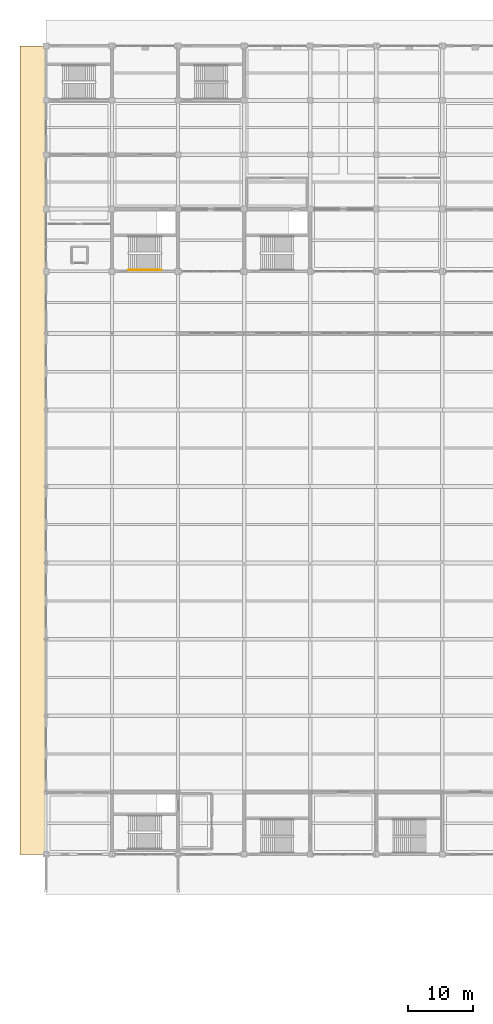
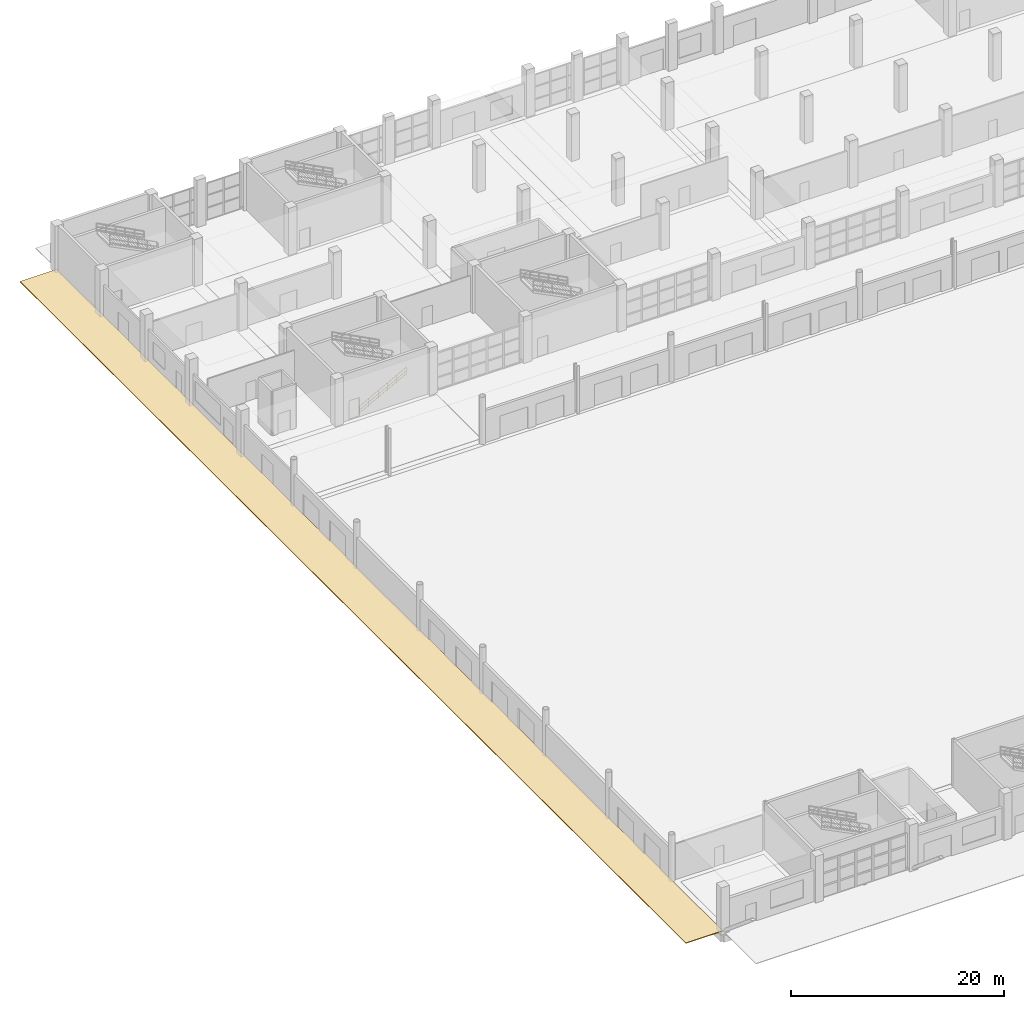
# One storey, part 111 of 124: 1 covering, 1 railing.
"""IFC4 building model written with IfcOpenShell, lengths in metres."""

from ifc_helpers import new_model, si_unit, direction, frame, origin, origin_2d, place, context, subcontext, project, spatial, polyline, circle, outline, extrude, material, layer, layer_set, type_object, element, save


model = new_model("IFC4")

# Units and contexts
model_context = context("Model", 3, precision=1e-05, world=origin(), true_north=direction((0.0, 1.0)))
body_context = subcontext(model_context, "Body", "Model", "MODEL_VIEW")
ifc_project = project(units=[si_unit("LENGTHUNIT", "METRE"), si_unit("AREAUNIT", "SQUARE_METRE"), si_unit("VOLUMEUNIT", "CUBIC_METRE"), si_unit("PLANEANGLEUNIT", "RADIAN"), si_unit("MASSUNIT", "GRAM", prefix="KILO")], contexts=[model_context])

# Site, building, storey
site_placement = place(None, origin())
site = spatial("IfcSite", under=ifc_project, at=site_placement, CompositionType="ELEMENT")
building_placement = place(site_placement, origin())
building = spatial("IfcBuilding", under=site, at=building_placement, Name="Brelvane Convention Centre", CompositionType="ELEMENT")
storey_placement = place(building_placement, origin())
storey = spatial("IfcBuildingStorey", under=building, at=storey_placement, Name="L00", CompositionType="ELEMENT", Elevation=0.0)

# Covering
ifc_material_1 = material(Name="Concrete M40", Category="concrete")
ifc_layer = layer(ifc_material_1, 0.080078125)
ifc_layer_set = layer_set([ifc_layer], Name="Concrete M40")
covering_type = type_object("IfcCoveringType", Name="Outdoor Plaza Paving PV-80", PredefinedType="USERDEFINED", material=ifc_layer_set)
covering_placement = place(storey_placement, origin())
element("IfcCovering", 1, at=covering_placement, inside=storey, type_object=covering_type, Name="Outdoor Arrival Plaza Paving WEST-PROM", ObjectType="PAVING", PredefinedType="USERDEFINED", context=body_context, shape_type="SweptSolid", body=[
    extrude(outline(polyline([(-4.0, 19.199951171875), (0.0, 19.199951171875), (0.0, 144.0), (-4.0, 144.0), (-4.0, 19.199951171875)])), origin(), (0.0, 0.0, 1.0), 0.080078125),
])

# Railing
ifc_material_2 = material(Name="Steel E350 (350 MPa)", Category="steel")
railing_type = type_object("IfcRailingType", Name="Stair Railing HR-ST-1", PredefinedType="HANDRAIL", material=ifc_material_2)
railing_placement = place(storey_placement, frame((12.75, 109.429931640625, -0.02001953125)))
element("IfcRailing", 2, at=railing_placement, inside=storey, type_object=railing_type, Name="Stair ST-06 L00 Outer Handrail F1", PredefinedType="HANDRAIL", context=body_context, shape_type="SweptSolid", body=[
    extrude(circle(Radius=0.02392578125, at=origin_2d()), frame((0.0, 0.0, 0.89599609375), z_axis=(0.882358787245, 0.0, 0.470577273753), x_axis=(0.0, 1.0, 0.0)), (0.0, 0.0, 1.0), 5.780029296875),
    extrude(circle(Radius=0.02392578125, at=origin_2d()), frame((0.0, 0.0, 0.478271484375), z_axis=(0.882358787245, 0.0, 0.470577273753), x_axis=(0.0, 1.0, 0.0)), (0.0, 0.0, 1.0), 5.780029296875),
    extrude(circle(Radius=0.02392578125, at=origin_2d()), frame((0.0, 0.0, 0.139892578125), z_axis=(0.882358787245, 0.0, 0.470577273753), x_axis=(0.0, 1.0, 0.0)), (0.0, 0.0, 1.0), 5.780029296875),
    extrude(circle(Radius=0.02099609375, at=origin_2d()), origin(), (0.0, 0.0, 1.0), 0.871826171875),
    extrude(circle(Radius=0.02099609375, at=origin_2d()), frame((1.02001953125, 0.0, 0.5439453125)), (0.0, 0.0, 1.0), 0.871826171875),
    extrude(circle(Radius=0.02099609375, at=origin_2d()), frame((2.0400390625, 0.0, 1.087890625)), (0.0, 0.0, 1.0), 0.871826171875),
    extrude(circle(Radius=0.02099609375, at=origin_2d()), frame((3.06005859375, 0.0, 1.632080078125)), (0.0, 0.0, 1.0), 0.871826171875),
    extrude(circle(Radius=0.02099609375, at=origin_2d()), frame((4.080078125, 0.0, 2.176025390625)), (0.0, 0.0, 1.0), 0.871826171875),
    extrude(circle(Radius=0.02099609375, at=origin_2d()), frame((5.10009765625, 0.0, 2.719970703125)), (0.0, 0.0, 1.0), 0.871826171875),
])

save(model, "model.ifc")
